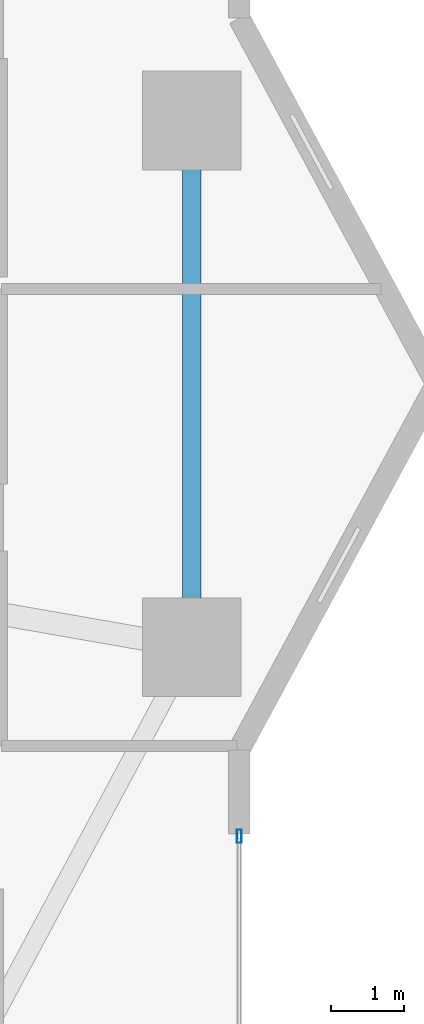
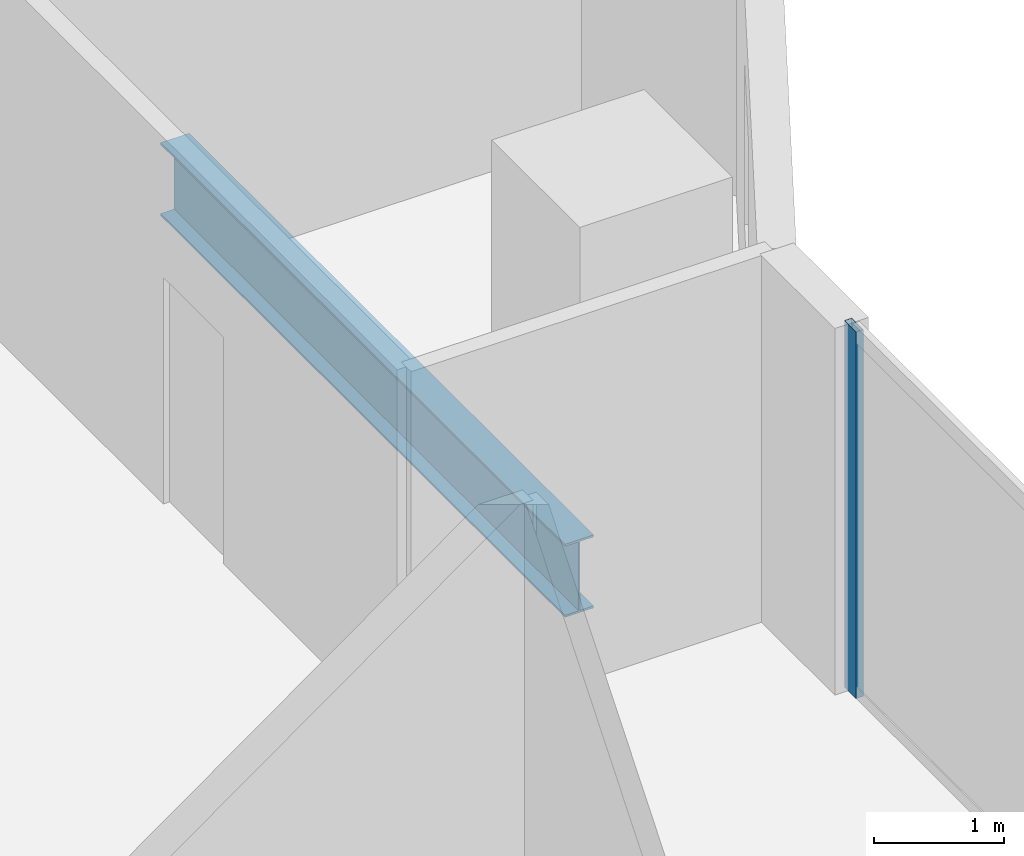
# One storey, part 13 of 30: 1 beam, 1 member, 1 element without a shape of its own.
"""IFC4 building model written with IfcOpenShell, lengths in metres."""

from ifc_helpers import new_model, si_unit, direction, frame, origin, origin_2d, place, context, subcontext, project, spatial, hollow_rectangle, i_section, extrude, material, layer, layer_set, material_profile, profile_set, type_object, element, aggregate, save


model = new_model("IFC4")

# Units and contexts
model_context = context("Model", 3, precision=1e-05, world=origin(), true_north=direction((0.0, 1.0)))
body_context = subcontext(model_context, "Body", "Model", "MODEL_VIEW")
ifc_project = project(units=[si_unit("LENGTHUNIT", "METRE"), si_unit("AREAUNIT", "SQUARE_METRE"), si_unit("VOLUMEUNIT", "CUBIC_METRE"), si_unit("PLANEANGLEUNIT", "RADIAN"), si_unit("MASSUNIT", "GRAM", prefix="KILO")], contexts=[model_context])

# Site, building, storey
site_placement = place(None, origin())
site = spatial("IfcSite", under=ifc_project, at=site_placement, CompositionType="ELEMENT")
building_placement = place(site_placement, origin())
building = spatial("IfcBuilding", under=site, at=building_placement, Name="Zuhayl Quay Hotel", CompositionType="ELEMENT")
storey_placement = place(building_placement, frame((0.0, 0.0, 128.5)))
storey = spatial("IfcBuildingStorey", under=building, at=storey_placement, Name="L32", CompositionType="ELEMENT", Elevation=128.5)

# Beam
ifc_material_1 = material(Name="Steel ASTM A992 Grade 50", Category="steel")
ifc_material_profile_1 = material_profile(ifc_material_1, i_section(OverallWidth=0.25390625, OverallDepth=0.68310546875, WebThickness=0.012451171875, FlangeThickness=0.018798828125, at=origin_2d()), Name="W27X94")
ifc_profile_set_1 = profile_set([ifc_material_profile_1], Name="Steel ASTM A992 Grade 50")
beam_type = type_object("IfcBeamType", Name="BM_B2_W27X94", PredefinedType="BEAM", material=ifc_profile_set_1)
beam_placement = place(storey_placement, frame((23.25, 3.39990234375, -0.5615234375), z_axis=(0.0, 1.0, 0.0), x_axis=(-1.0, 0.0, 0.0)))
element("IfcBeam", 1, at=beam_placement, inside=storey, type_object=beam_type, Name="L32 Floor Beam RG_L32_05", PredefinedType="BEAM", context=body_context, shape_type="SweptSolid", body=[
    extrude(i_section(OverallWidth=0.25390625, OverallDepth=0.68310546875, WebThickness=0.012451171875, FlangeThickness=0.018798828125, at=origin_2d()), origin(), (0.0, 0.0, 1.0), 6.2001953125),
])

# Curtain wall, member
ifc_material_2 = material(Name="Anodised Aluminium 6063-T6", Category="aluminium")
ifc_layer = layer(ifc_material_2, 0.179931640625, Name="Anodised Aluminium 6063-T6", Category="aluminium")
ifc_layer_set = layer_set([ifc_layer], Name="Anodised Aluminium 6063-T6")
curtain_wall_type = type_object("IfcCurtainWallType", Name="CW_SYS_Z2", PredefinedType="USERDEFINED", material=ifc_layer_set)
curtain_wall_placement = place(storey_placement, origin())
curtain_wall = element("IfcCurtainWall", 2, at=curtain_wall_placement, inside=storey, type_object=curtain_wall_type, Name="L32 Curtain Wall ENV_L32_E14_CW1", ObjectType="UNITISED CURTAIN WALL", PredefinedType="USERDEFINED")
ifc_material_3 = material(Name="Black-anodised aluminium 6063-T6", Category="aluminium")
ifc_material_profile_2 = material_profile(ifc_material_3, hollow_rectangle(XDim=0.06494140625, YDim=0.179931640625, WallThickness=0.00341796875, at=origin_2d()), Name="ALU180X65")
ifc_profile_set_2 = profile_set([ifc_material_profile_2], Name="Black-anodised aluminium 6063-T6")
member_type = type_object("IfcMemberType", Name="MB_CW_MUL_180", PredefinedType="MULLION", material=ifc_profile_set_2)
member_placement = place(storey_placement, frame((23.89990234375, 0.3173828125, 0.0), z_axis=(0.0, 0.0, 1.0), x_axis=(1.0, 0.0, 0.0)))
member = element("IfcMember", 3, at=member_placement, type_object=member_type, Name="CW-Z2 mullion 1", PredefinedType="MULLION", context=body_context, shape_type="SweptSolid", body=[
    extrude(hollow_rectangle(XDim=0.06494140625, YDim=0.179931640625, WallThickness=0.00341796875, at=origin_2d()), origin(), (0.0, 0.0, 1.0), 3.429931640625),
])
aggregate(curtain_wall, [member])

save(model, "model.ifc")
